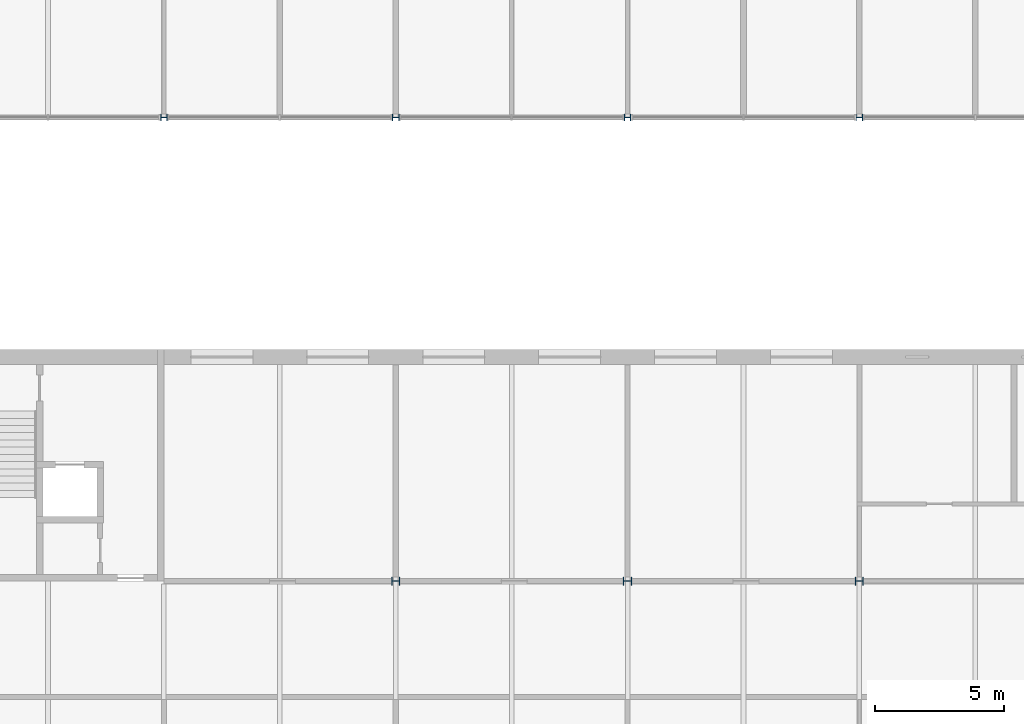
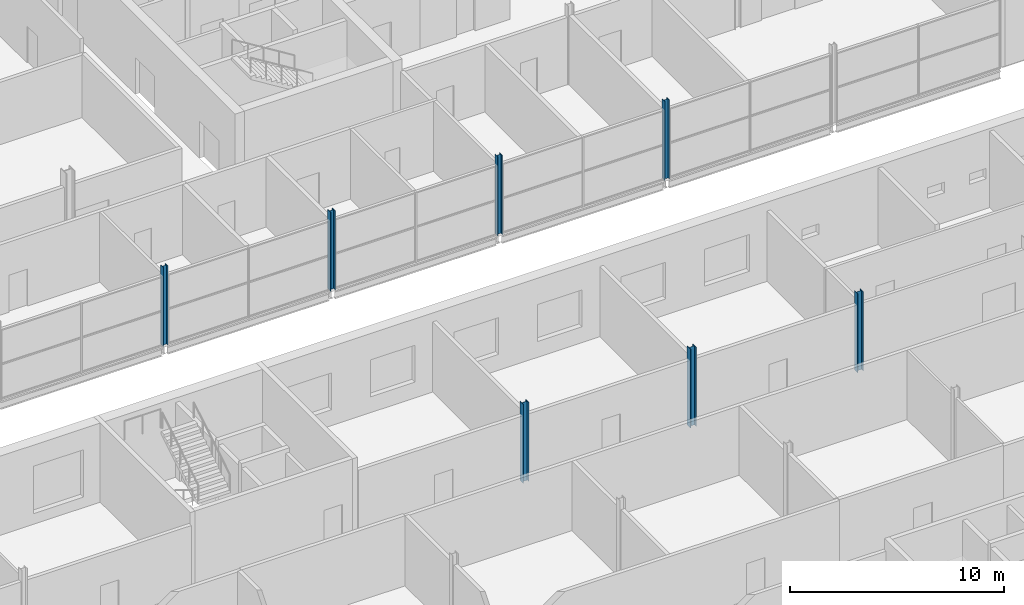
# One storey, part 13 of 97: 7 columns.
"""IFC4 building model written with IfcOpenShell, lengths in metres."""

from ifc_helpers import new_model, si_unit, direction, frame, origin, origin_2d, place, context, subcontext, project, spatial, i_section, extrude, material, material_profile, profile_set, type_object, element, save


model = new_model("IFC4")

# Units and contexts
model_context = context("Model", 3, precision=1e-05, world=origin(), true_north=direction((0.0, 1.0)))
body_context = subcontext(model_context, "Body", "Model", "MODEL_VIEW")
ifc_project = project(units=[si_unit("LENGTHUNIT", "METRE"), si_unit("AREAUNIT", "SQUARE_METRE"), si_unit("VOLUMEUNIT", "CUBIC_METRE"), si_unit("PLANEANGLEUNIT", "RADIAN"), si_unit("MASSUNIT", "GRAM", prefix="KILO")], contexts=[model_context])

# Site, building, storey
site_placement = place(None, origin())
site = spatial("IfcSite", under=ifc_project, at=site_placement, CompositionType="ELEMENT")
building_placement = place(site_placement, origin())
building = spatial("IfcBuilding", under=site, at=building_placement, Name="Corbel Yard City Hall", CompositionType="ELEMENT")
storey_placement = place(building_placement, frame((0.0, 0.0, 6.0)))
storey = spatial("IfcBuildingStorey", under=building, at=storey_placement, Name="L01", CompositionType="ELEMENT", Elevation=6.0)

# Columns
ifc_material = material(Name="Steel Grade 300 (300 MPa yield)", Category="steel")
ifc_material_profile_1 = material_profile(ifc_material, i_section(OverallWidth=0.256103515625, OverallDepth=0.260009765625, WebThickness=0.010498046875, FlangeThickness=0.017333984375, at=origin_2d()), Name="250UC89.5")
ifc_profile_set_1 = profile_set([ifc_material_profile_1], Name="Steel Grade 300 (300 MPa yield)")
column_type_1 = type_object("IfcColumnType", Name="Column 250UC89.5", PredefinedType="COLUMN", material=ifc_profile_set_1)
for number, where, z_axis, x_axis, name in (
    (1, (36.0, 90.0, 0.0), (0.0, 0.0, 1.0), (0.0, 1.0, 0.0), "Column 250UC89.5 K/5 L01"),
    (2, (45.0, 90.0, 0.0), (0.0, 0.0, 1.0), (0.0, 1.0, 0.0), "Column 250UC89.5 K/6 L01"),
    (3, (54.0, 90.0, 0.0), (0.0, 0.0, 1.0), (0.0, 1.0, 0.0), "Column 250UC89.5 K/7 L01"),
    (4, (63.0, 90.0, 0.0), (0.0, 0.0, 1.0), (0.0, 1.0, 0.0), "Column 250UC89.5 K/8 L01"),
):
    element("IfcColumn", number, at=place(storey_placement, frame(where, z_axis=z_axis, x_axis=x_axis)), inside=storey, type_object=column_type_1, Name=name, PredefinedType="COLUMN", context=body_context, shape_type="SweptSolid", body=[
        extrude(i_section(OverallWidth=0.256103515625, OverallDepth=0.260009765625, WebThickness=0.010498046875, FlangeThickness=0.017333984375, at=origin_2d()), origin(), (0.0, 0.0, 1.0), 4.5),
    ])
ifc_material_profile_2 = material_profile(ifc_material, i_section(OverallWidth=0.306884765625, OverallDepth=0.31494140625, WebThickness=0.011962890625, FlangeThickness=0.018798828125, at=origin_2d()), Name="310UC118")
ifc_profile_set_2 = profile_set([ifc_material_profile_2], Name="Steel Grade 300 (300 MPa yield)")
column_type_2 = type_object("IfcColumnType", Name="Column 310UC118", PredefinedType="COLUMN", material=ifc_profile_set_2)
for number, where, z_axis, x_axis, name in (
    (5, (45.0, 72.0, 0.0), (0.0, 0.0, 1.0), (0.0, 1.0, 0.0), "Column 310UC118 I/6 L01"),
    (6, (54.0, 72.0, 0.0), (0.0, 0.0, 1.0), (0.0, 1.0, 0.0), "Column 310UC118 I/7 L01"),
    (7, (63.0, 72.0, 0.0), (0.0, 0.0, 1.0), (0.0, 1.0, 0.0), "Column 310UC118 I/8 L01"),
):
    element("IfcColumn", number, at=place(storey_placement, frame(where, z_axis=z_axis, x_axis=x_axis)), inside=storey, type_object=column_type_2, Name=name, PredefinedType="COLUMN", context=body_context, shape_type="SweptSolid", body=[
        extrude(i_section(OverallWidth=0.306884765625, OverallDepth=0.31494140625, WebThickness=0.011962890625, FlangeThickness=0.018798828125, at=origin_2d()), origin(), (0.0, 0.0, 1.0), 4.5),
    ])

save(model, "model.ifc")
